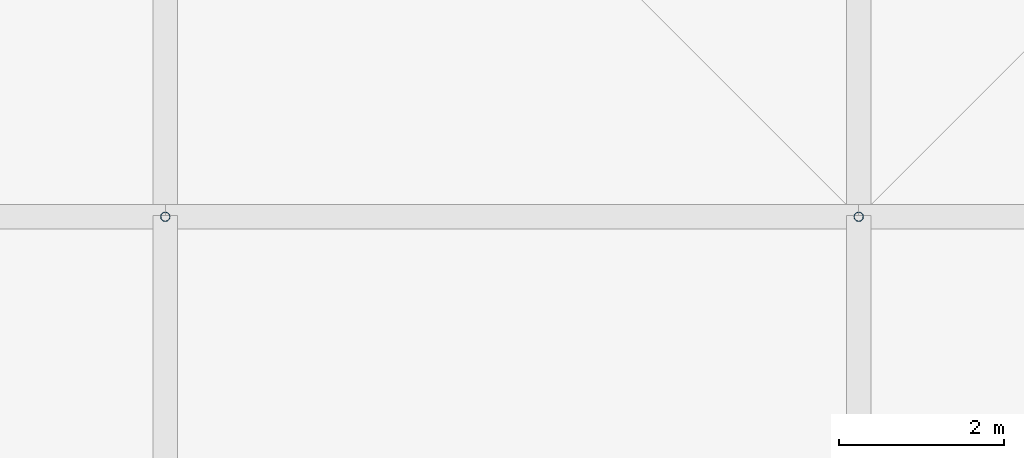
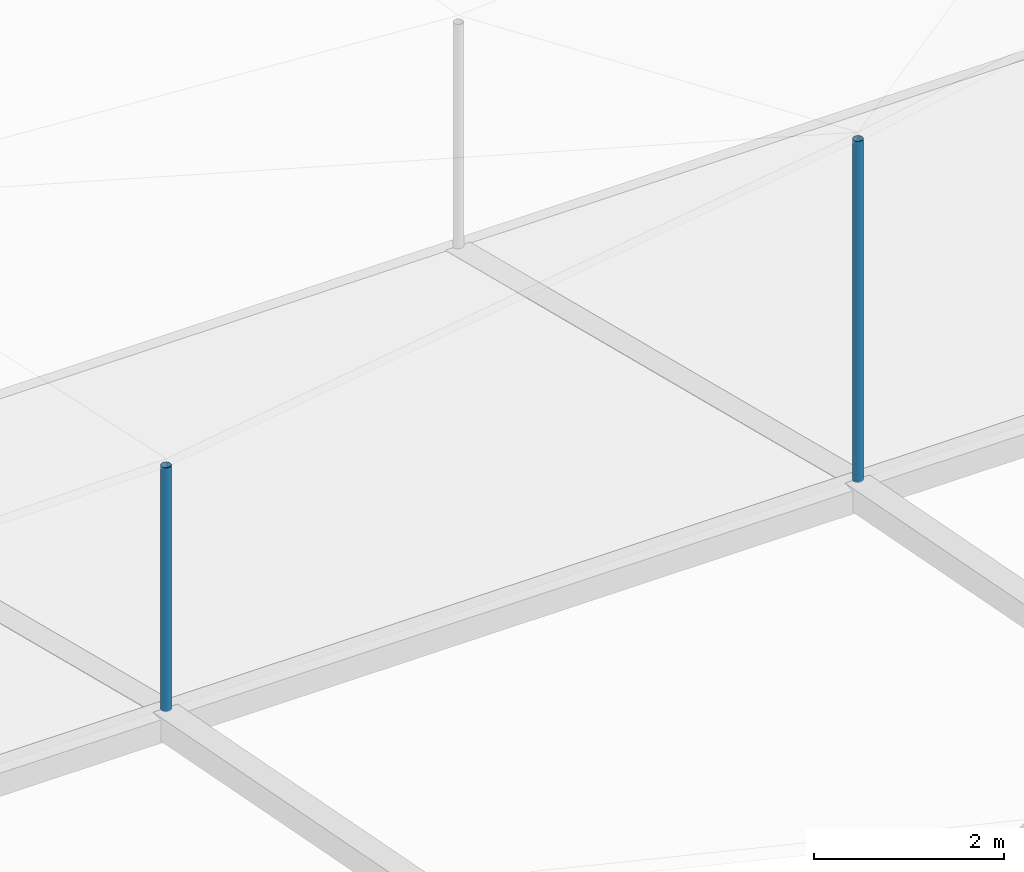
# One storey, part 59 of 111: 2 discrete accessories.
"""IFC4 building model written with IfcOpenShell, lengths in metres."""

from ifc_helpers import new_model, si_unit, direction, frame, origin, origin_2d, place, context, subcontext, project, spatial, hollow_circle, extrude, material, material_profile, profile_set, type_object, element, save


model = new_model("IFC4")

# Units and contexts
model_context = context("Model", 3, precision=1e-05, world=origin(), true_north=direction((0.0, 1.0)))
body_context = subcontext(model_context, "Body", "Model", "MODEL_VIEW")
ifc_project = project(units=[si_unit("LENGTHUNIT", "METRE"), si_unit("AREAUNIT", "SQUARE_METRE"), si_unit("VOLUMEUNIT", "CUBIC_METRE"), si_unit("PLANEANGLEUNIT", "RADIAN"), si_unit("MASSUNIT", "GRAM", prefix="KILO")], contexts=[model_context])

# Site, building, storey
site_placement = place(None, origin())
site = spatial("IfcSite", under=ifc_project, at=site_placement, CompositionType="ELEMENT")
building_placement = place(site_placement, origin())
building = spatial("IfcBuilding", under=site, at=building_placement, Name="Rain Tree Exposition and Congress Centre", CompositionType="ELEMENT")
storey_placement = place(building_placement, frame((0.0, 0.0, 19.5)))
storey = spatial("IfcBuildingStorey", under=building, at=storey_placement, Name="RF", CompositionType="ELEMENT", Elevation=19.5)

# Discrete accessories
ifc_material = material(Name="Steel S355J2H", Category="steel")
ifc_material_profile = material_profile(ifc_material, hollow_circle(Radius=0.05712890625, WallThickness=0.00439453125, at=origin_2d()), Name="CHS 114x4.5")
ifc_profile_set = profile_set([ifc_material_profile], Name="Steel S355J2H")
discrete_accessory_type = type_object("IfcDiscreteAccessoryType", Name="Roof skin post CHS 114x4.5", PredefinedType="BRACKET", material=ifc_profile_set)
discrete_accessory_1_placement = place(storey_placement, frame((67.199951171875, 184.800048828125, 3.22412109375), z_axis=(0.0, 0.0, 1.0), x_axis=(1.0, 0.0, 0.0)))
element("IfcDiscreteAccessory", 1, at=discrete_accessory_1_placement, inside=storey, type_object=discrete_accessory_type, Name="Roof skin post A158", PredefinedType="BRACKET", context=body_context, shape_type="SweptSolid", body=[
    extrude(hollow_circle(Radius=0.05712890625, WallThickness=0.00439453125, at=origin_2d()), origin(), (0.0, 0.0, 1.0), 3.1318359375),
])
discrete_accessory_2_placement = place(storey_placement, frame((75.60009765625, 184.800048828125, 3.22412109375), z_axis=(0.0, 0.0, 1.0), x_axis=(1.0, 0.0, 0.0)))
element("IfcDiscreteAccessory", 2, at=discrete_accessory_2_placement, inside=storey, type_object=discrete_accessory_type, Name="Roof skin post A159", PredefinedType="BRACKET", context=body_context, shape_type="SweptSolid", body=[
    extrude(hollow_circle(Radius=0.05712890625, WallThickness=0.00439453125, at=origin_2d()), origin(), (0.0, 0.0, 1.0), 4.3798828125),
])

save(model, "model.ifc")
